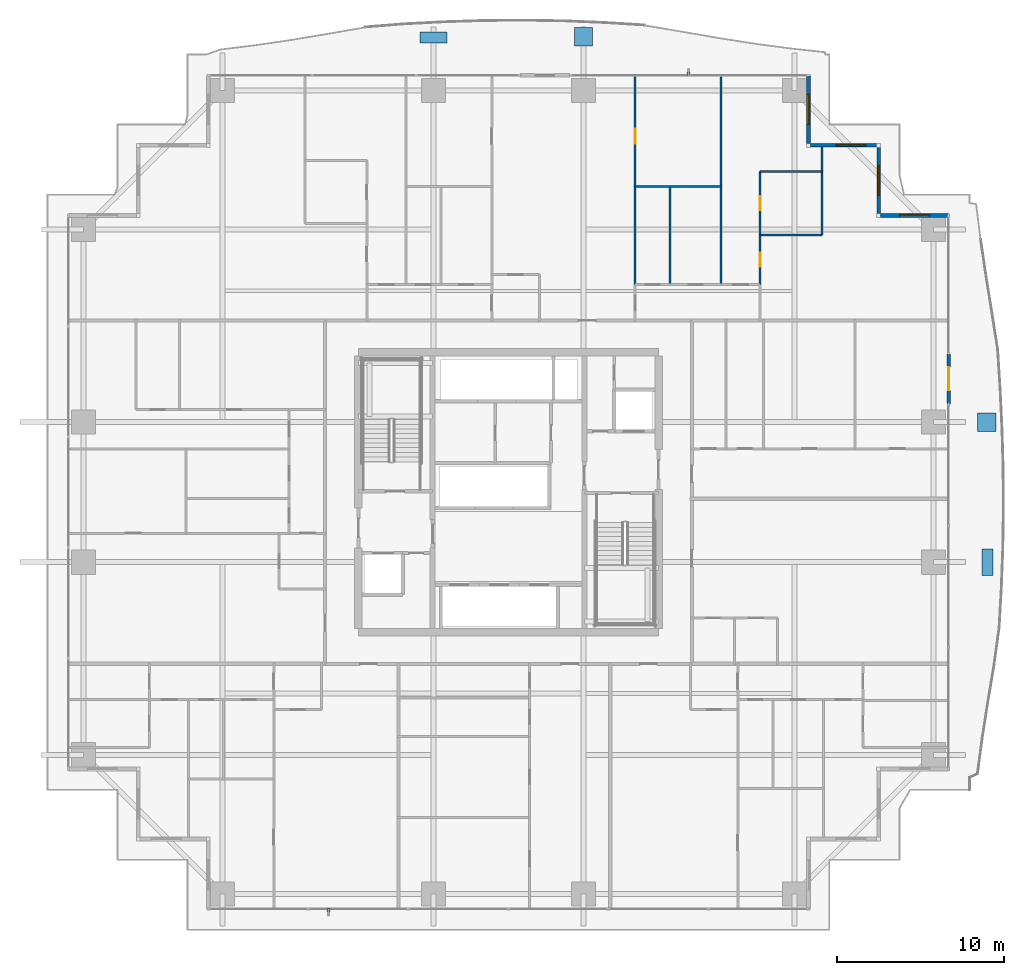
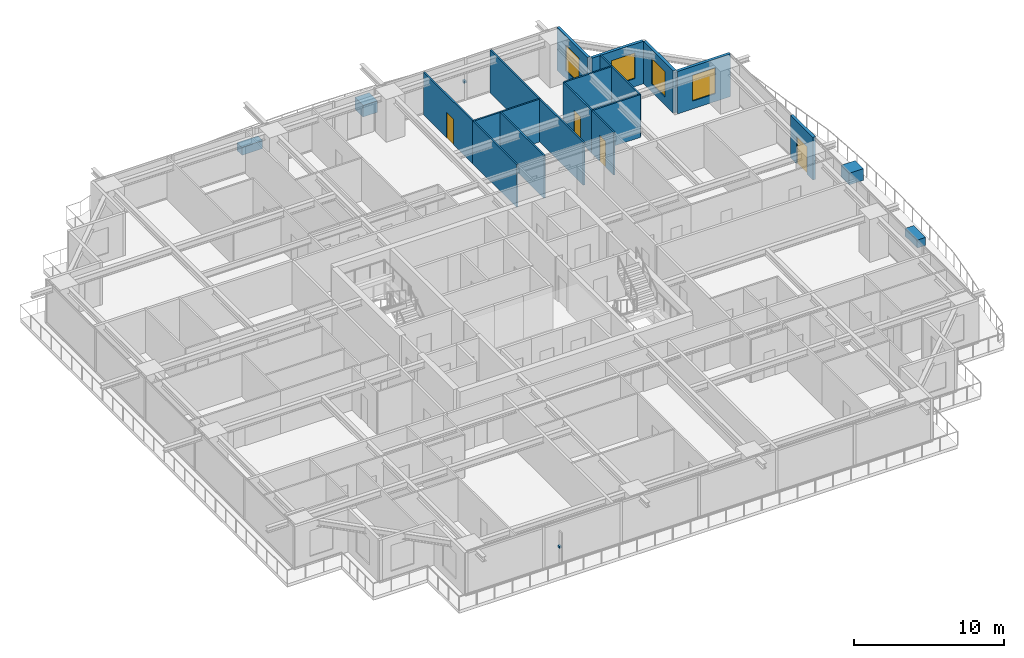
# One storey, part 31 of 38: 15 walls, 6 discrete accessories, 4 doors, 4 windows, 8 openings.
"""IFC4 building model written with IfcOpenShell, lengths in metres."""

from ifc_helpers import new_model, si_unit, direction, frame, frame_2d, origin, origin_2d, place, context, subcontext, project, spatial, rectangle, extrude, source, transform, mapped, material, layer, layer_set, type_object, element, fill, save


model = new_model("IFC4")

# Units and contexts
model_context = context("Model", 3, precision=1e-05, world=origin(), true_north=direction((0.0, 1.0)))
body_context = subcontext(model_context, "Body", "Model", "MODEL_VIEW")
ifc_project = project(units=[si_unit("LENGTHUNIT", "METRE"), si_unit("AREAUNIT", "SQUARE_METRE"), si_unit("VOLUMEUNIT", "CUBIC_METRE"), si_unit("PLANEANGLEUNIT", "RADIAN"), si_unit("MASSUNIT", "GRAM", prefix="KILO")], contexts=[model_context])

# Site, building, storey
site_placement = place(None, origin())
site = spatial("IfcSite", under=ifc_project, at=site_placement, CompositionType="ELEMENT")
building_placement = place(site_placement, origin())
building = spatial("IfcBuilding", under=site, at=building_placement, Name="Serunith Strait Residences", CompositionType="ELEMENT")
storey_placement = place(building_placement, frame((0.0, 0.0, 52.949951171875)))
storey = spatial("IfcBuildingStorey", under=building, at=storey_placement, Name="L12", CompositionType="ELEMENT", Elevation=52.949951171875)

# Wall, opening, door
ifc_material_1 = material(Name="Pale-Champagne Aluminium Insulated Panel", Category="aluminium")
ifc_layer_1 = layer(ifc_material_1, 0.219970703125, Name="Pale-Champagne Aluminium Insulated Panel")
ifc_layer_set_1 = layer_set([ifc_layer_1], Name="Pale-Champagne Aluminium Insulated Panel")
wall_type_1 = type_object("IfcWallType", Name="EW-ALUM-220", PredefinedType="ELEMENTEDWALL", material=ifc_layer_set_1)
wall_1_placement = place(storey_placement, frame((58.800048828125, 30.5, 0.0), z_axis=(0.0, 0.0, 1.0), x_axis=(0.0, 1.0, 0.0)))
wall_1 = element("IfcWall", 1, at=wall_1_placement, inside=storey, type_object=wall_type_1, Name="L12 E Facade Pier Wall", PredefinedType="ELEMENTEDWALL", context=body_context, shape_type="SweptSolid", body=[
    extrude(rectangle(XDim=3.0, YDim=0.219970703125, at=frame_2d((1.5, 0.0))), origin(), (0.0, 0.0, 1.0), 3.47509765625),
])
opening_1_placement = place(wall_1_placement, frame((0.800048828125, 0.0, 0.0)))
opening_1 = element("IfcOpeningElement", 2, at=opening_1_placement, cuts=wall_1, Name="Opening ED-04", PredefinedType="OPENING", context=body_context, shape_type="SweptSolid", body=[
    extrude(rectangle(XDim=1.39990234375, YDim=2.25, at=frame_2d((0.699951171875, 1.125))), frame((0.0, 0.1201171875, 0.0), z_axis=(0.0, -1.0, 0.0), x_axis=(1.0, 0.0, 0.0)), (0.0, 0.0, 1.0), 0.239990234375),
])
ifc_material_2 = material(Name="Thermally-Broken Aluminium Sliding Balcony Door", Category="aluminium")
door_type_1 = type_object("IfcDoorType", Name="ED-BALC-1400", OperationType="NOTDEFINED", PredefinedType="DOOR", material=ifc_material_2)
shared_shape_1 = source(origin(), body_context, "Body", "SweptSolid", [
    extrude(rectangle(XDim=1.39990234375, YDim=2.25, at=frame_2d((0.699951171875, 1.125))), frame((0.0, 0.02490234375, 0.0), z_axis=(0.0, -1.0, 0.0), x_axis=(1.0, 0.0, 0.0)), (0.0, 0.0, 1.0), 0.050048828125),
])
door_1_placement = place(opening_1_placement, origin())
door_1 = element("IfcDoor", 3, at=door_1_placement, inside=storey, type_object=door_type_1, Name="L12 E Vertical-Forest Balcony Door", OperationType="SLIDING_TO_LEFT", OverallHeight=2.25, OverallWidth=1.39990234375, PredefinedType="DOOR", context=body_context, shape_type="MappedRepresentation", body=[
    mapped(shared_shape_1, transform((0.0, 0.0, 0.0), scale=1.0)),
])
fill(opening_1, door_1)

# Wall, opening, window
wall_2_placement = place(storey_placement, frame((58.800048828125, 41.800048828125, 0.0), z_axis=(0.0, 0.0, 1.0), x_axis=(-1.0, 0.0, 0.0)))
wall_2 = element("IfcWall", 4, at=wall_2_placement, inside=storey, type_object=wall_type_1, Name="L12 Girih Serrated Corner Wall 07", PredefinedType="ELEMENTEDWALL", context=body_context, shape_type="SweptSolid", body=[
    extrude(rectangle(XDim=4.090087890625, YDim=0.219970703125, at=frame_2d((2.044921875, 0.0))), origin(), (0.0, 0.0, 1.0), 3.47509765625),
])
opening_2_placement = place(wall_2_placement, frame((1.14501953125, 0.0, 0.64990234375)))
opening_2 = element("IfcOpeningElement", 5, at=opening_2_placement, cuts=wall_2, Name="Opening W-01", PredefinedType="OPENING", context=body_context, shape_type="SweptSolid", body=[
    extrude(rectangle(XDim=1.800048828125, YDim=2.10009765625, at=frame_2d((0.89990234375, 1.050048828125))), frame((0.0, 0.1201171875, 0.0), z_axis=(0.0, -1.0, 0.0), x_axis=(1.0, 0.0, 0.0)), (0.0, 0.0, 1.0), 0.239990234375),
])
ifc_material_3 = material(Name="Ceramic-Fritted Operable Aluminium Window Glass", Category="aluminium")
window_type = type_object("IfcWindowType", Name="WIN-C1", PartitioningType="DOUBLE_PANEL_VERTICAL", PredefinedType="WINDOW", material=ifc_material_3)
shared_shape_2 = source(origin(), body_context, "Body", "SweptSolid", [
    extrude(rectangle(XDim=1.800048828125, YDim=2.10009765625, at=frame_2d((0.89990234375, 1.050048828125))), frame((0.0, 0.030029296875, 0.0), z_axis=(0.0, -1.0, 0.0), x_axis=(1.0, 0.0, 0.0)), (0.0, 0.0, 1.0), 0.06005859375),
])
window_1_placement = place(opening_2_placement, origin())
window_1 = element("IfcWindow", 6, at=window_1_placement, inside=storey, type_object=window_type, Name="L12 Corner Operable Fritted Window 07", OverallHeight=2.10009765625, OverallWidth=1.800048828125, PartitioningType="SINGLE_PANEL", PredefinedType="WINDOW", context=body_context, shape_type="MappedRepresentation", body=[
    mapped(shared_shape_2, transform((0.0, 0.0, 0.0), scale=1.0)),
])
fill(opening_2, window_1)

wall_3_placement = place(storey_placement, frame((54.60009765625, 41.909912109375, 0.0), z_axis=(0.0, 0.0, 1.0), x_axis=(0.0, 1.0, 0.0)))
wall_3 = element("IfcWall", 7, at=wall_3_placement, inside=storey, type_object=wall_type_1, Name="L12 Girih Serrated Corner Wall 08", PredefinedType="ELEMENTEDWALL", context=body_context, shape_type="SweptSolid", body=[
    extrude(rectangle(XDim=3.97998046875, YDim=0.219970703125, at=frame_2d((1.989990234375, 0.0))), origin(), (0.0, 0.0, 1.0), 3.47509765625),
])
opening_3_placement = place(wall_3_placement, frame((1.090087890625, 0.0, 0.64990234375)))
opening_3 = element("IfcOpeningElement", 8, at=opening_3_placement, cuts=wall_3, Name="Opening W-01", PredefinedType="OPENING", context=body_context, shape_type="SweptSolid", body=[
    extrude(rectangle(XDim=1.800048828125, YDim=2.10009765625, at=frame_2d((0.89990234375, 1.050048828125))), frame((0.0, 0.1201171875, 0.0), z_axis=(0.0, -1.0, 0.0), x_axis=(1.0, 0.0, 0.0)), (0.0, 0.0, 1.0), 0.239990234375),
])
window_2_placement = place(opening_3_placement, origin())
window_2 = element("IfcWindow", 9, at=window_2_placement, inside=storey, type_object=window_type, Name="L12 Corner Operable Fritted Window 08", OverallHeight=2.10009765625, OverallWidth=1.800048828125, PartitioningType="SINGLE_PANEL", PredefinedType="WINDOW", context=body_context, shape_type="MappedRepresentation", body=[
    mapped(shared_shape_2, transform((0.0, 0.0, 0.0), scale=1.0)),
])
fill(opening_3, window_2)

wall_4_placement = place(storey_placement, frame((54.489990234375, 46.0, 0.0), z_axis=(0.0, 0.0, 1.0), x_axis=(-1.0, 0.0, 0.0)))
wall_4 = element("IfcWall", 10, at=wall_4_placement, inside=storey, type_object=wall_type_1, Name="L12 Girih Serrated Corner Wall 09", PredefinedType="ELEMENTEDWALL", context=body_context, shape_type="SweptSolid", body=[
    extrude(rectangle(XDim=3.97998046875, YDim=0.219970703125, at=frame_2d((1.989990234375, 0.0))), origin(), (0.0, 0.0, 1.0), 3.47509765625),
])
opening_4_placement = place(wall_4_placement, frame((0.654052734375, 0.0, 0.64990234375)))
opening_4 = element("IfcOpeningElement", 11, at=opening_4_placement, cuts=wall_4, Name="Opening W-01", PredefinedType="OPENING", context=body_context, shape_type="SweptSolid", body=[
    extrude(rectangle(XDim=1.800048828125, YDim=2.10009765625, at=frame_2d((0.89990234375, 1.050048828125))), frame((0.0, 0.1201171875, 0.0), z_axis=(0.0, -1.0, 0.0), x_axis=(1.0, 0.0, 0.0)), (0.0, 0.0, 1.0), 0.239990234375),
])
window_3_placement = place(opening_4_placement, origin())
window_3 = element("IfcWindow", 12, at=window_3_placement, inside=storey, type_object=window_type, Name="L12 Corner Operable Fritted Window 09", OverallHeight=2.10009765625, OverallWidth=1.800048828125, PartitioningType="SINGLE_PANEL", PredefinedType="WINDOW", context=body_context, shape_type="MappedRepresentation", body=[
    mapped(shared_shape_2, transform((0.0, 0.0, 0.0), scale=1.0)),
])
fill(opening_4, window_3)

wall_5_placement = place(storey_placement, frame((50.39990234375, 46.110107421875, 0.0), z_axis=(0.0, 0.0, 1.0), x_axis=(0.0, 1.0, 0.0)))
wall_5 = element("IfcWall", 13, at=wall_5_placement, inside=storey, type_object=wall_type_1, Name="L12 Girih Serrated Corner Wall 10", PredefinedType="ELEMENTEDWALL", context=body_context, shape_type="SweptSolid", body=[
    extrude(rectangle(XDim=4.08984375, YDim=0.219970703125, at=frame_2d((2.044921875, 0.0))), origin(), (0.0, 0.0, 1.0), 3.47509765625),
])
opening_5_placement = place(wall_5_placement, frame((1.14501953125, 0.0, 0.64990234375)))
opening_5 = element("IfcOpeningElement", 14, at=opening_5_placement, cuts=wall_5, Name="Opening W-01", PredefinedType="OPENING", context=body_context, shape_type="SweptSolid", body=[
    extrude(rectangle(XDim=1.800048828125, YDim=2.10009765625, at=frame_2d((0.89990234375, 1.050048828125))), frame((0.0, 0.1201171875, 0.0), z_axis=(0.0, -1.0, 0.0), x_axis=(1.0, 0.0, 0.0)), (0.0, 0.0, 1.0), 0.239990234375),
])
window_4_placement = place(opening_5_placement, origin())
window_4 = element("IfcWindow", 15, at=window_4_placement, inside=storey, type_object=window_type, Name="L12 Corner Operable Fritted Window 10", OverallHeight=2.10009765625, OverallWidth=1.800048828125, PartitioningType="SINGLE_PANEL", PredefinedType="WINDOW", context=body_context, shape_type="MappedRepresentation", body=[
    mapped(shared_shape_2, transform((0.0, 0.0, 0.0), scale=1.0)),
])
fill(opening_5, window_4)

# Wall, opening, door
ifc_material_4 = material(Name="Lightweight steel-stud gypsum partition", Category="steel")
ifc_layer_2 = layer(ifc_material_4, 0.1201171875, Name="Lightweight steel-stud gypsum partition")
ifc_layer_set_2 = layer_set([ifc_layer_2], Name="Lightweight steel-stud gypsum partition")
wall_type_2 = type_object("IfcWallType", Name="IW-PART-120", PredefinedType="PARTITIONING", material=ifc_layer_set_2)
wall_6_placement = place(storey_placement, frame((40.0, 50.10498046875, 0.0), z_axis=(0.0, 0.0, 1.0), x_axis=(0.0, -1.0, 0.0)))
wall_6 = element("IfcWall", 16, at=wall_6_placement, inside=storey, type_object=wall_type_2, Name="L12 Partition Wall 081", PredefinedType="PARTITIONING", context=body_context, shape_type="SweptSolid", body=[
    extrude(rectangle(XDim=6.56494140625, YDim=0.1201171875, at=frame_2d((3.282470703125, 0.0))), origin(), (0.0, 0.0, 1.0), 3.489990234375),
])
opening_6_placement = place(wall_6_placement, frame((3.115966796875, 0.0, 0.0)))
opening_6 = element("IfcOpeningElement", 17, at=opening_6_placement, cuts=wall_6, Name="Opening D-RM900", PredefinedType="OPENING", context=body_context, shape_type="SweptSolid", body=[
    extrude(rectangle(XDim=0.89990234375, YDim=2.10009765625, at=frame_2d((0.449951171875, 1.050048828125))), frame((0.0, 0.070068359375, 0.0), z_axis=(0.0, -1.0, 0.0), x_axis=(1.0, 0.0, 0.0)), (0.0, 0.0, 1.0), 0.14013671875),
])
ifc_material_5 = material(Name="Engineered timber flush bedroom door", Category="wood")
door_type_2 = type_object("IfcDoorType", Name="ID-ROOM-900", OperationType="NOTDEFINED", PredefinedType="DOOR", material=ifc_material_5)
shared_shape_3 = source(origin(), body_context, "Body", "SweptSolid", [
    extrude(rectangle(XDim=0.89990234375, YDim=2.10009765625, at=frame_2d((0.449951171875, 1.050048828125))), frame((0.0, 0.02490234375, 0.0), z_axis=(0.0, -1.0, 0.0), x_axis=(1.0, 0.0, 0.0)), (0.0, 0.0, 1.0), 0.050048828125),
])
door_2_placement = place(opening_6_placement, origin())
door_2 = element("IfcDoor", 18, at=door_2_placement, inside=storey, type_object=door_type_2, Name="L12 Formal Dining Room 3 1204 Door", OperationType="SINGLE_SWING_LEFT", OverallHeight=2.10009765625, OverallWidth=0.89990234375, PredefinedType="DOOR", context=body_context, shape_type="MappedRepresentation", body=[
    mapped(shared_shape_3, transform((0.0, 0.0, 0.0), scale=1.0)),
])
fill(opening_6, door_2)

# Walls
wall_7_placement = place(storey_placement, frame((40.0, 43.5380859375, 0.0), z_axis=(0.0, 0.0, 1.0), x_axis=(0.0, -1.0, 0.0)))
element("IfcWall", 19, at=wall_7_placement, inside=storey, type_object=wall_type_2, Name="L12 Partition Wall 082", PredefinedType="PARTITIONING", context=body_context, shape_type="SweptSolid", body=[
    extrude(rectangle(XDim=5.885986328125, YDim=0.1201171875, at=frame_2d((2.94287109375, 0.0))), origin(), (0.0, 0.0, 1.0), 3.489990234375),
])
wall_8_placement = place(storey_placement, frame((40.0, 43.5400390625, 0.0), z_axis=(0.0, 0.0, 1.0), x_axis=(1.0, 0.0, 0.0)))
element("IfcWall", 20, at=wall_8_placement, inside=storey, type_object=wall_type_2, Name="L12 Partition Wall 083", PredefinedType="PARTITIONING", context=body_context, shape_type="SweptSolid", body=[
    extrude(rectangle(XDim=5.14990234375, YDim=0.1201171875, at=frame_2d((2.574951171875, 0.0))), origin(), (0.0, 0.0, 1.0), 3.489990234375),
])
wall_9_placement = place(storey_placement, frame((45.14990234375, 50.10498046875, 0.0), z_axis=(0.0, 0.0, 1.0), x_axis=(0.0, -1.0, 0.0)))
element("IfcWall", 21, at=wall_9_placement, inside=storey, type_object=wall_type_2, Name="L12 Partition Wall 084", PredefinedType="PARTITIONING", context=body_context, shape_type="SweptSolid", body=[
    extrude(rectangle(XDim=12.455078125, YDim=0.1201171875, at=frame_2d((6.2275390625, 0.0))), origin(), (0.0, 0.0, 1.0), 3.489990234375),
])
wall_10_placement = place(storey_placement, frame((42.10009765625, 43.5400390625, 0.0), z_axis=(0.0, 0.0, 1.0), x_axis=(0.0, -1.0, 0.0)))
element("IfcWall", 22, at=wall_10_placement, inside=storey, type_object=wall_type_2, Name="L12 Partition Wall 085", PredefinedType="PARTITIONING", context=body_context, shape_type="SweptSolid", body=[
    extrude(rectangle(XDim=5.89013671875, YDim=0.1201171875, at=frame_2d((2.945068359375, 0.0))), origin(), (0.0, 0.0, 1.0), 3.489990234375),
])
wall_11_placement = place(storey_placement, frame((47.5, 44.422119140625, 0.0), z_axis=(0.0, 0.0, 1.0), x_axis=(1.0, 0.0, 0.0)))
element("IfcWall", 23, at=wall_11_placement, inside=storey, type_object=wall_type_2, Name="L12 Partition Wall 089", PredefinedType="PARTITIONING", context=body_context, shape_type="SweptSolid", body=[
    extrude(rectangle(XDim=3.699951171875, YDim=0.1201171875, at=frame_2d((1.85009765625, 0.0))), origin(), (0.0, 0.0, 1.0), 3.489990234375),
])
wall_12_placement = place(storey_placement, frame((51.199951171875, 45.905029296875, 0.0), z_axis=(0.0, 0.0, 1.0), x_axis=(0.0, -1.0, 0.0)))
element("IfcWall", 24, at=wall_12_placement, inside=storey, type_object=wall_type_2, Name="L12 Partition Wall 090", PredefinedType="PARTITIONING", context=body_context, shape_type="SweptSolid", body=[
    extrude(rectangle(XDim=5.26708984375, YDim=0.1201171875, at=frame_2d((2.633544921875, 0.0))), origin(), (0.0, 0.0, 1.0), 3.489990234375),
])
wall_13_placement = place(storey_placement, frame((47.5, 40.637939453125, 0.0), z_axis=(0.0, 0.0, 1.0), x_axis=(1.0, 0.0, 0.0)))
element("IfcWall", 25, at=wall_13_placement, inside=storey, type_object=wall_type_2, Name="L12 Partition Wall 091", PredefinedType="PARTITIONING", context=body_context, shape_type="SweptSolid", body=[
    extrude(rectangle(XDim=3.699951171875, YDim=0.1201171875, at=frame_2d((1.85009765625, 0.0))), origin(), (0.0, 0.0, 1.0), 3.489990234375),
])

# Wall, opening, door
wall_14_placement = place(storey_placement, frame((47.5, 44.422119140625, 0.0), z_axis=(0.0, 0.0, 1.0), x_axis=(0.0, -1.0, 0.0)))
wall_14 = element("IfcWall", 26, at=wall_14_placement, inside=storey, type_object=wall_type_2, Name="L12 Partition Wall 092", PredefinedType="PARTITIONING", context=body_context, shape_type="SweptSolid", body=[
    extrude(rectangle(XDim=3.7841796875, YDim=0.1201171875, at=frame_2d((1.89208984375, 0.0))), origin(), (0.0, 0.0, 1.0), 3.489990234375),
])
opening_7_placement = place(wall_14_placement, frame((1.467041015625, 0.0, 0.0)))
opening_7 = element("IfcOpeningElement", 27, at=opening_7_placement, cuts=wall_14, Name="Opening D-BTH850", PredefinedType="OPENING", context=body_context, shape_type="SweptSolid", body=[
    extrude(rectangle(XDim=0.85009765625, YDim=2.10009765625, at=frame_2d((0.425048828125, 1.050048828125))), frame((0.0, 0.070068359375, 0.0), z_axis=(0.0, -1.0, 0.0), x_axis=(1.0, 0.0, 0.0)), (0.0, 0.0, 1.0), 0.14013671875),
])
ifc_material_6 = material(Name="Moisture-resistant timber bathroom door", Category="wood")
door_type_3 = type_object("IfcDoorType", Name="ID-BATH-850", OperationType="NOTDEFINED", PredefinedType="DOOR", material=ifc_material_6)
shared_shape_4 = source(origin(), body_context, "Body", "SweptSolid", [
    extrude(rectangle(XDim=0.85009765625, YDim=2.10009765625, at=frame_2d((0.425048828125, 1.050048828125))), frame((0.0, 0.02490234375, 0.0), z_axis=(0.0, -1.0, 0.0), x_axis=(1.0, 0.0, 0.0)), (0.0, 0.0, 1.0), 0.050048828125),
])
door_3_placement = place(opening_7_placement, origin())
door_3 = element("IfcDoor", 28, at=door_3_placement, inside=storey, type_object=door_type_3, Name="L12 En-suite Bathroom E 1204 Door", OperationType="SINGLE_SWING_LEFT", OverallHeight=2.10009765625, OverallWidth=0.85009765625, PredefinedType="DOOR", context=body_context, shape_type="MappedRepresentation", body=[
    mapped(shared_shape_4, transform((0.0, 0.0, 0.0), scale=1.0)),
])
fill(opening_7, door_3)

wall_15_placement = place(storey_placement, frame((47.5, 40.635986328125, 0.0), z_axis=(0.0, 0.0, 1.0), x_axis=(0.0, -1.0, 0.0)))
wall_15 = element("IfcWall", 29, at=wall_15_placement, inside=storey, type_object=wall_type_2, Name="L12 Partition Wall 093", PredefinedType="PARTITIONING", context=body_context, shape_type="SweptSolid", body=[
    extrude(rectangle(XDim=2.986083984375, YDim=0.1201171875, at=frame_2d((1.4931640625, 0.0))), origin(), (0.0, 0.0, 1.0), 3.489990234375),
])
opening_8_placement = place(wall_15_placement, frame((1.068115234375, 0.0, 0.0)))
opening_8 = element("IfcOpeningElement", 30, at=opening_8_placement, cuts=wall_15, Name="Opening D-RM850", PredefinedType="OPENING", context=body_context, shape_type="SweptSolid", body=[
    extrude(rectangle(XDim=0.85009765625, YDim=2.10009765625, at=frame_2d((0.425048828125, 1.050048828125))), frame((0.0, 0.070068359375, 0.0), z_axis=(0.0, -1.0, 0.0), x_axis=(1.0, 0.0, 0.0)), (0.0, 0.0, 1.0), 0.14013671875),
])
ifc_material_7 = material(Name="Engineered timber flush study and kitchen door", Category="wood")
door_type_4 = type_object("IfcDoorType", Name="ID-ROOM-850", OperationType="NOTDEFINED", PredefinedType="DOOR", material=ifc_material_7)
door_4_placement = place(opening_8_placement, origin())
door_4 = element("IfcDoor", 31, at=door_4_placement, inside=storey, type_object=door_type_4, Name="L12 Wardrobe E 1204 Door", OperationType="SINGLE_SWING_RIGHT", OverallHeight=2.10009765625, OverallWidth=0.85009765625, PredefinedType="DOOR", context=body_context, shape_type="MappedRepresentation", body=[
    mapped(shared_shape_4, transform((0.0, 0.0, 0.0), scale=1.0)),
])
fill(opening_8, door_4)

# Discrete accessories
ifc_material_8 = material(Name="GFRC Root-Anchored Structural Planter")
discrete_accessory_type_1 = type_object("IfcDiscreteAccessoryType", Name="ACC-PLANTER-TREE", PredefinedType="USERDEFINED", material=ifc_material_8)
shared_shape_5 = source(origin(), body_context, "Body", "SweptSolid", [
    extrude(rectangle(XDim=1.10009765625, YDim=1.10009765625, at=origin_2d()), origin(), (0.0, 0.0, 1.0), 0.949951171875),
])
for number, where, z_axis, x_axis, name in (
    (32, (36.89990234375, 52.510009765625, -0.0498046875), (0.0, 0.0, 1.0), (-1.0, 0.0, 0.0), "L12 Vertical-Forest Tree Planter 07"),
    (33, (61.094970703125, 29.39990234375, -0.0498046875), (0.0, 0.0, 1.0), (0.0, 1.0, 0.0), "L12 Vertical-Forest Tree Planter 11"),
):
    element("IfcDiscreteAccessory", number, at=place(storey_placement, frame(where, z_axis=z_axis, x_axis=x_axis)), inside=storey, type_object=discrete_accessory_type_1, Name=name, ObjectType="PLANTER", PredefinedType="USERDEFINED", context=body_context, shape_type="MappedRepresentation", body=[
        mapped(shared_shape_5, transform((0.0, 0.0, 0.0), scale=1.0)),
    ])
ifc_material_9 = material(Name="GFRC Irrigated Shrub Trough Planter")
discrete_accessory_type_2 = type_object("IfcDiscreteAccessoryType", Name="ACC-PLANTER-SHRUB", PredefinedType="USERDEFINED", material=ifc_material_9)
shared_shape_6 = source(origin(), body_context, "Body", "SweptSolid", [
    extrude(rectangle(XDim=1.60009765625, YDim=0.64990234375, at=origin_2d()), origin(), (0.0, 0.0, 1.0), 0.64990234375),
])
for number, where, z_axis, x_axis, name in (
    (34, (27.89990234375, 52.470458984375, -0.0498046875), (0.0, 0.0, 1.0), (-1.0, 0.0, 0.0), "L12 Vertical-Forest Shrub Planter 06"),
    (35, (61.13037109375, 21.0, -0.0498046875), (0.0, 0.0, 1.0), (0.0, 1.0, 0.0), "L12 Vertical-Forest Shrub Planter 10"),
):
    element("IfcDiscreteAccessory", number, at=place(storey_placement, frame(where, z_axis=z_axis, x_axis=x_axis)), inside=storey, type_object=discrete_accessory_type_2, Name=name, ObjectType="PLANTER", PredefinedType="USERDEFINED", context=body_context, shape_type="MappedRepresentation", body=[
        mapped(shared_shape_6, transform((0.0, 0.0, 0.0), scale=1.0)),
    ])
ifc_material_10 = material(Name="Stainless Steel Facade Cleat Bracket", Category="steel")
discrete_accessory_type_3 = type_object("IfcDiscreteAccessoryType", Name="ACC-FIN-BRACKET", PredefinedType="USERDEFINED", material=ifc_material_10)
shared_shape_7 = source(origin(), body_context, "Body", "SweptSolid", [
    extrude(rectangle(XDim=0.179931640625, YDim=0.219970703125, at=origin_2d()), origin(), (0.0, 0.0, 1.0), 0.179931640625),
])
for number, where, z_axis, x_axis, name in (
    (36, (21.60009765625, 0.1201171875, 1.41015625), (0.0, 0.0, 1.0), (1.0, 0.0, 0.0), "L12 Solar Fin Cleat Bracket S"),
    (37, (43.199951171875, 50.280029296875, 1.41015625), (0.0, 0.0, 1.0), (1.0, 0.0, 0.0), "L12 Solar Fin Cleat Bracket N"),
):
    element("IfcDiscreteAccessory", number, at=place(storey_placement, frame(where, z_axis=z_axis, x_axis=x_axis)), inside=storey, type_object=discrete_accessory_type_3, Name=name, ObjectType="BRACKET", PredefinedType="USERDEFINED", context=body_context, shape_type="MappedRepresentation", body=[
        mapped(shared_shape_7, transform((0.0, 0.0, 0.0), scale=1.0)),
    ])

save(model, "model.ifc")
